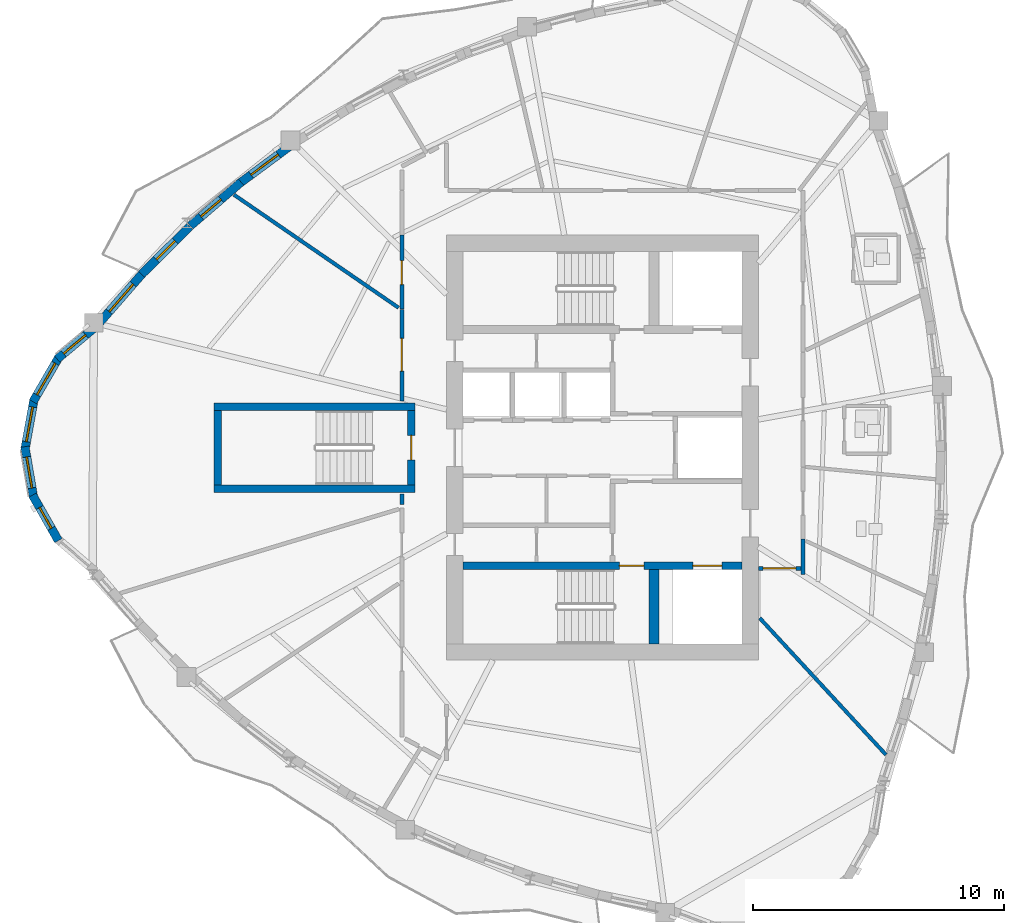
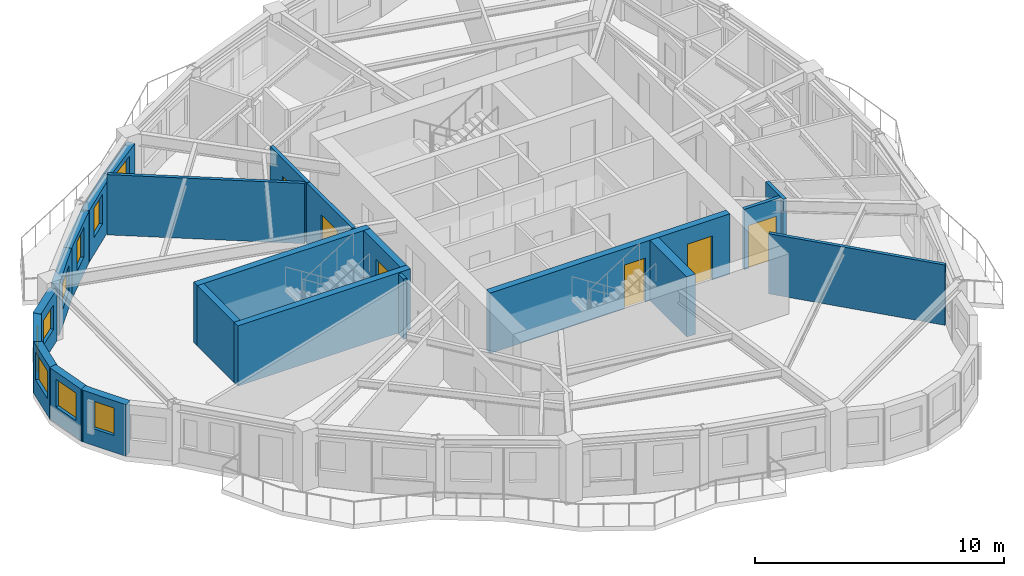
# One storey, part 4 of 12: 22 walls, 9 windows, 6 doors, 15 openings.
"""IFC4 building model written with IfcOpenShell, lengths in metres."""

from ifc_helpers import new_model, si_unit, direction, frame, frame_2d, origin, place, context, subcontext, project, spatial, rectangle, extrude, source, transform, mapped, material, layer, layer_set, type_object, element, fill, save


model = new_model("IFC4")

# Units and contexts
model_context = context("Model", 3, precision=1e-05, world=origin(), true_north=direction((0.0, 1.0)))
body_context = subcontext(model_context, "Body", "Model", "MODEL_VIEW")
ifc_project = project(units=[si_unit("LENGTHUNIT", "METRE"), si_unit("AREAUNIT", "SQUARE_METRE"), si_unit("VOLUMEUNIT", "CUBIC_METRE"), si_unit("PLANEANGLEUNIT", "RADIAN"), si_unit("MASSUNIT", "GRAM", prefix="KILO")], contexts=[model_context])

# Site, building, storey
site_placement = place(None, origin())
site = spatial("IfcSite", under=ifc_project, at=site_placement, CompositionType="ELEMENT")
building_placement = place(site_placement, origin())
building = spatial("IfcBuilding", under=site, at=building_placement, Name="Qafzar Sky-Pleat Residences", CompositionType="ELEMENT")
storey_placement = place(building_placement, frame((0.0, 0.0, 145.800048828125)))
storey = spatial("IfcBuildingStorey", under=building, at=storey_placement, Name="L43", CompositionType="ELEMENT", Elevation=145.800048828125)

# Wall, opening, door
ifc_material_1 = material(Name="Acoustic gypsum plasterboard partition", Category="gypsum")
ifc_layer_1 = layer(ifc_material_1, 0.159912109375)
ifc_layer_set_1 = layer_set([ifc_layer_1], Name="Acoustic gypsum plasterboard partition")
wall_type_1 = type_object("IfcWallType", Name="PART-COR-160", PredefinedType="PARTITIONING", material=ifc_layer_set_1)
wall_1_placement = place(storey_placement, frame((22.3701171875, 27.85009765625, 0.0), z_axis=(0.0, 0.0, 1.0), x_axis=(0.0, 1.0, 0.0)))
wall_1 = element("IfcWall", 1, at=wall_1_placement, inside=storey, type_object=wall_type_1, Name="L43 Partition Wall PART-L43-PW-006", PredefinedType="PARTITIONING", context=body_context, shape_type="SweptSolid", body=[
    extrude(rectangle(XDim=3.64599609375, YDim=0.159912109375, at=frame_2d((1.822998046875, 0.0))), origin(), (0.0, 0.0, 1.0), 2.949951171875),
])
opening_1_placement = place(wall_1_placement, frame((1.193603515625, 0.0, 0.0)))
opening_1 = element("IfcOpeningElement", 2, at=opening_1_placement, cuts=wall_1, Name="Opening ID-05", PredefinedType="OPENING", context=body_context, shape_type="SweptSolid", body=[
    extrude(rectangle(XDim=1.300048828125, YDim=2.10009765625, at=frame_2d((0.64990234375, 1.050048828125))), frame((0.0, 0.08984375, 0.0), z_axis=(0.0, -1.0, 0.0), x_axis=(1.0, 0.0, 0.0)), (0.0, 0.0, 1.0), 0.179931640625),
])
ifc_material_2 = material(Name="Timber-faced fire door", Category="wood")
door_type_1 = type_object("IfcDoorType", Name="DR-LNG-1300", OperationType="DOUBLE_DOOR_SINGLE_SWING", PredefinedType="DOOR", material=ifc_material_2)
shared_shape_1 = source(origin(), body_context, "Body", "SweptSolid", [
    extrude(rectangle(XDim=1.300048828125, YDim=2.10009765625, at=frame_2d((0.64990234375, 1.050048828125))), frame((0.0, 0.02490234375, 0.0), z_axis=(0.0, -1.0, 0.0), x_axis=(1.0, 0.0, 0.0)), (0.0, 0.0, 1.0), 0.050048828125),
])
door_1_placement = place(opening_1_placement, origin())
door_1 = element("IfcDoor", 3, at=door_1_placement, inside=storey, type_object=door_type_1, Name="L43 Tutorial Huddle Room Door", OperationType="DOUBLE_DOOR_SINGLE_SWING", OverallHeight=2.10009765625, OverallWidth=1.300048828125, PredefinedType="DOOR", context=body_context, shape_type="MappedRepresentation", body=[
    mapped(shared_shape_1, transform((0.0, 0.0, 0.0), x_axis=(1.0, 0.0, 0.0), y_axis=(0.0, 1.0, 0.0), z_axis=(0.0, 0.0, 1.0), scale=1.0)),
])
fill(opening_1, door_1)

wall_2_placement = place(storey_placement, frame((22.3701171875, 31.510986328125, 0.0), z_axis=(0.0, 0.0, 1.0), x_axis=(0.0, 1.0, 0.0)))
wall_2 = element("IfcWall", 4, at=wall_2_placement, inside=storey, type_object=wall_type_1, Name="L43 Partition Wall PART-L43-PW-007", PredefinedType="PARTITIONING", context=body_context, shape_type="SweptSolid", body=[
    extrude(rectangle(XDim=2.93896484375, YDim=0.159912109375, at=frame_2d((1.469482421875, 0.0))), origin(), (0.0, 0.0, 1.0), 2.949951171875),
])
opening_2_placement = place(wall_2_placement, frame((0.972900390625, 0.0, 0.0)))
opening_2 = element("IfcOpeningElement", 5, at=opening_2_placement, cuts=wall_2, Name="Opening ID-06", PredefinedType="OPENING", context=body_context, shape_type="SweptSolid", body=[
    extrude(rectangle(XDim=0.9599609375, YDim=2.10009765625, at=frame_2d((0.47998046875, 1.050048828125))), frame((0.0, 0.08984375, 0.0), z_axis=(0.0, -1.0, 0.0), x_axis=(1.0, 0.0, 0.0)), (0.0, 0.0, 1.0), 0.179931640625),
])
door_type_2 = type_object("IfcDoorType", Name="DR-STD-960", OperationType="NOTDEFINED", PredefinedType="DOOR", material=ifc_material_2)
shared_shape_2 = source(origin(), body_context, "Body", "SweptSolid", [
    extrude(rectangle(XDim=0.9599609375, YDim=2.10009765625, at=frame_2d((0.47998046875, 1.050048828125))), frame((0.0, 0.02490234375, 0.0), z_axis=(0.0, -1.0, 0.0), x_axis=(1.0, 0.0, 0.0)), (0.0, 0.0, 1.0), 0.050048828125),
])
door_2_placement = place(opening_2_placement, origin())
door_2 = element("IfcDoor", 6, at=door_2_placement, inside=storey, type_object=door_type_2, Name="L43 Media Screening Room Door", OperationType="SINGLE_SWING_RIGHT", OverallHeight=2.10009765625, OverallWidth=0.9599609375, PredefinedType="DOOR", context=body_context, shape_type="MappedRepresentation", body=[
    mapped(shared_shape_2, transform((0.0, 0.0, 0.0), x_axis=(1.0, 0.0, 0.0), y_axis=(0.0, 1.0, 0.0), z_axis=(0.0, 0.0, 1.0), scale=1.0)),
])
fill(opening_2, door_2)

wall_3_placement = place(storey_placement, frame((38.241943359375, 21.199951171875, 0.0), z_axis=(0.0, 0.0, 1.0), x_axis=(-1.0, 0.0, 0.0)))
wall_3 = element("IfcWall", 7, at=wall_3_placement, inside=storey, type_object=wall_type_1, Name="L43 Partition Wall PART-L43-PW-014", PredefinedType="PARTITIONING", context=body_context, shape_type="SweptSolid", body=[
    extrude(rectangle(XDim=1.683837890625, YDim=0.159912109375, at=frame_2d((0.841796875, 0.0))), origin(), (0.0, 0.0, 1.0), 2.949951171875),
])
opening_3_placement = place(wall_3_placement, frame((0.199951171875, 0.0, 0.0)))
opening_3 = element("IfcOpeningElement", 8, at=opening_3_placement, cuts=wall_3, Name="Opening ID-05", PredefinedType="OPENING", context=body_context, shape_type="SweptSolid", body=[
    extrude(rectangle(XDim=1.300048828125, YDim=2.10009765625, at=frame_2d((0.64990234375, 1.050048828125))), frame((0.0, 0.08984375, 0.0), z_axis=(0.0, -1.0, 0.0), x_axis=(1.0, 0.0, 0.0)), (0.0, 0.0, 1.0), 0.179931640625),
])
door_3_placement = place(opening_3_placement, origin())
door_3 = element("IfcDoor", 9, at=door_3_placement, inside=storey, type_object=door_type_1, Name="L43 Co-Living Lounge Door", OperationType="DOUBLE_DOOR_SINGLE_SWING", OverallHeight=2.10009765625, OverallWidth=1.300048828125, PredefinedType="DOOR", context=body_context, shape_type="MappedRepresentation", body=[
    mapped(shared_shape_1, transform((0.0, 0.0, 0.0), x_axis=(1.0, 0.0, 0.0), y_axis=(0.0, 1.0, 0.0), z_axis=(0.0, 0.0, 1.0), scale=1.0)),
])
fill(opening_3, door_3)

# Walls
wall_4_placement = place(storey_placement, frame((38.330078125, 20.9599609375, 0.0), z_axis=(0.0, 0.0, 1.0), x_axis=(0.0, 1.0, 0.0)))
element("IfcWall", 10, at=wall_4_placement, inside=storey, type_object=wall_type_1, Name="L43 Partition Wall PART-L43-PW-038", PredefinedType="PARTITIONING", context=body_context, shape_type="SweptSolid", body=[
    extrude(rectangle(XDim=1.407958984375, YDim=0.159912109375, at=frame_2d((0.7041015625, 0.0))), origin(), (0.0, 0.0, 1.0), 2.949951171875),
])
wall_5_placement = place(storey_placement, frame((22.3701171875, 23.73095703125, 0.0), z_axis=(0.0, 0.0, 1.0), x_axis=(0.0, 1.0, 0.0)))
element("IfcWall", 11, at=wall_5_placement, inside=storey, type_object=wall_type_1, Name="L43 Partition Wall PART-L43-PW-042", PredefinedType="PARTITIONING", context=body_context, shape_type="SweptSolid", body=[
    extrude(rectangle(XDim=0.4189453125, YDim=0.159912109375, at=frame_2d((0.20947265625, 0.0))), origin(), (0.0, 0.0, 1.0), 2.949951171875),
])
ifc_layer_2 = layer(ifc_material_1, 0.14501953125)
ifc_layer_set_2 = layer_set([ifc_layer_2], Name="Acoustic gypsum plasterboard partition")
wall_type_2 = type_object("IfcWallType", Name="PART-UNIT-145", PredefinedType="PARTITIONING", material=ifc_layer_set_2)
wall_6_placement = place(storey_placement, frame((15.696044921875, 36.059814453125, 0.0), z_axis=(0.0, 0.0, 1.0), x_axis=(0.824423900824, -0.565972818914, 0.0)))
element("IfcWall", 12, at=wall_6_placement, inside=storey, type_object=wall_type_2, Name="L43 Partition Wall PART-L43-PW-018", PredefinedType="PARTITIONING", context=body_context, shape_type="SweptSolid", body=[
    extrude(rectangle(XDim=7.940673828125, YDim=0.14501953125, at=frame_2d((3.97021484375, 0.0))), origin(), (0.0, 0.0, 1.0), 2.949951171875),
])
wall_7_placement = place(storey_placement, frame((36.608642578125, 19.221435546875, 0.0), z_axis=(0.0, 0.0, 1.0), x_axis=(0.67832941292, -0.734757924467, 0.0)))
element("IfcWall", 13, at=wall_7_placement, inside=storey, type_object=wall_type_2, Name="L43 Partition Wall PART-L43-PW-019", PredefinedType="PARTITIONING", context=body_context, shape_type="SweptSolid", body=[
    extrude(rectangle(XDim=7.40283203125, YDim=0.14501953125, at=frame_2d((3.701416015625, 0.0))), origin(), (0.0, 0.0, 1.0), 2.949951171875),
])

# Wall, opening, window
ifc_material_3 = material(Name="Precast concrete C40/50 with honed Riyadh limestone", Category="concrete")
ifc_layer_3 = layer(ifc_material_3, 0.340087890625)
ifc_layer_set_3 = layer_set([ifc_layer_3], Name="Precast concrete C40/50 with honed Riyadh limestone")
wall_type_3 = type_object("IfcWallType", Name="WALL-EXT-340", PredefinedType="SOLIDWALL", material=ifc_layer_set_3)
wall_8_placement = place(storey_placement, frame((10.109375, 30.737548828125, 0.0), z_axis=(0.0, 0.0, 1.0), x_axis=(-0.76661852922, -0.642102819381, 0.0)))
wall_8 = element("IfcWall", 14, at=wall_8_placement, inside=storey, type_object=wall_type_3, Name="L43 Limestone Facade Wall 1", PredefinedType="SOLIDWALL", context=body_context, shape_type="SweptSolid", body=[
    extrude(rectangle(XDim=1.88818359375, YDim=0.340087890625, at=frame_2d((0.944091796875, 0.0))), origin(), (0.0, 0.0, 1.0), 2.530029296875),
])
opening_4_placement = place(wall_8_placement, frame((0.404052734375, 0.0, 0.820068359375)))
opening_4 = element("IfcOpeningElement", 15, at=opening_4_placement, cuts=wall_8, Name="Opening WN-16", PredefinedType="OPENING", context=body_context, shape_type="SweptSolid", body=[
    extrude(rectangle(XDim=1.14990234375, YDim=1.199951171875, at=frame_2d((0.574951171875, 0.60009765625))), frame((0.0, 0.18017578125, 0.0), z_axis=(0.0, -1.0, 0.0), x_axis=(1.0, 0.0, 0.0)), (0.0, 0.0, 1.0), 0.360107421875),
])
ifc_material_4 = material(Name="Solar-control low-E glass in bronze aluminium frame", Category="glass")
window_type_1 = type_object("IfcWindowType", Name="WIN-16", PartitioningType="SINGLE_PANEL", PredefinedType="WINDOW", material=ifc_material_4)
shared_shape_3 = source(origin(), body_context, "Body", "SweptSolid", [
    extrude(rectangle(XDim=1.14990234375, YDim=1.199951171875, at=frame_2d((0.574951171875, 0.60009765625))), frame((0.0, 0.030029296875, 0.0), z_axis=(0.0, -1.0, 0.0), x_axis=(1.0, 0.0, 0.0)), (0.0, 0.0, 1.0), 0.06005859375),
])
window_1_placement = place(opening_4_placement, origin())
window_1 = element("IfcWindow", 16, at=window_1_placement, inside=storey, type_object=window_type_1, Name="L43 Punched Facade Window 01", OverallHeight=1.199951171875, OverallWidth=1.14990234375, PartitioningType="SINGLE_PANEL", PredefinedType="WINDOW", context=body_context, shape_type="MappedRepresentation", body=[
    mapped(shared_shape_3, transform((0.0, 0.0, 0.0), x_axis=(1.0, 0.0, 0.0), y_axis=(0.0, 1.0, 0.0), z_axis=(0.0, 0.0, 1.0), scale=1.0)),
])
fill(opening_4, window_1)

wall_9_placement = place(storey_placement, frame((8.747802734375, 29.627197265625, 0.0), z_axis=(0.0, 0.0, 1.0), x_axis=(-0.502090235641, -0.864815237651, 0.0)))
wall_9 = element("IfcWall", 17, at=wall_9_placement, inside=storey, type_object=wall_type_3, Name="L43 Limestone Facade Wall 2", PredefinedType="SOLIDWALL", context=body_context, shape_type="SweptSolid", body=[
    extrude(rectangle(XDim=2.0810546875, YDim=0.340087890625, at=frame_2d((1.04052734375, 0.0))), origin(), (0.0, 0.0, 1.0), 2.530029296875),
])
opening_5_placement = place(wall_9_placement, frame((0.315673828125, 0.0, 0.820068359375)))
opening_5 = element("IfcOpeningElement", 18, at=opening_5_placement, cuts=wall_9, Name="Opening WN-15", PredefinedType="OPENING", context=body_context, shape_type="SweptSolid", body=[
    extrude(rectangle(XDim=1.449951171875, YDim=1.25, at=frame_2d((0.72509765625, 0.625))), frame((0.0, 0.18017578125, 0.0), z_axis=(0.0, -1.0, 0.0), x_axis=(1.0, 0.0, 0.0)), (0.0, 0.0, 1.0), 0.360107421875),
])
window_type_2 = type_object("IfcWindowType", Name="WIN-15", PartitioningType="SINGLE_PANEL", PredefinedType="WINDOW", material=ifc_material_4)
shared_shape_4 = source(origin(), body_context, "Body", "SweptSolid", [
    extrude(rectangle(XDim=1.449951171875, YDim=1.25, at=frame_2d((0.72509765625, 0.625))), frame((0.0, 0.030029296875, 0.0), z_axis=(0.0, -1.0, 0.0), x_axis=(1.0, 0.0, 0.0)), (0.0, 0.0, 1.0), 0.06005859375),
])
window_2_placement = place(opening_5_placement, origin())
window_2 = element("IfcWindow", 19, at=window_2_placement, inside=storey, type_object=window_type_2, Name="L43 Punched Facade Window 02", OverallHeight=1.25, OverallWidth=1.449951171875, PartitioningType="SINGLE_PANEL", PredefinedType="WINDOW", context=body_context, shape_type="MappedRepresentation", body=[
    mapped(shared_shape_4, transform((0.0, 0.0, 0.0), x_axis=(1.0, 0.0, 0.0), y_axis=(0.0, 1.0, 0.0), z_axis=(0.0, 0.0, 1.0), scale=1.0)),
])
fill(opening_5, window_2)

wall_10_placement = place(storey_placement, frame((7.7490234375, 27.952880859375, 0.0), z_axis=(0.0, 0.0, 1.0), x_axis=(-0.177605215389, -0.984101817632, 0.0)))
wall_10 = element("IfcWall", 20, at=wall_10_placement, inside=storey, type_object=wall_type_3, Name="L43 Limestone Facade Wall 3", PredefinedType="SOLIDWALL", context=body_context, shape_type="SweptSolid", body=[
    extrude(rectangle(XDim=2.081298828125, YDim=0.340087890625, at=frame_2d((1.04052734375, 0.0))), origin(), (0.0, 0.0, 1.0), 2.530029296875),
])
opening_6_placement = place(wall_10_placement, frame((0.340576171875, 0.0, 0.820068359375)))
opening_6 = element("IfcOpeningElement", 21, at=opening_6_placement, cuts=wall_10, Name="Opening WN-10", PredefinedType="OPENING", context=body_context, shape_type="SweptSolid", body=[
    extrude(rectangle(XDim=1.39990234375, YDim=1.35009765625, at=frame_2d((0.699951171875, 0.675048828125))), frame((0.0, 0.18017578125, 0.0), z_axis=(0.0, -1.0, 0.0), x_axis=(1.0, 0.0, 0.0)), (0.0, 0.0, 1.0), 0.360107421875),
])
window_type_3 = type_object("IfcWindowType", Name="WIN-10", PartitioningType="SINGLE_PANEL", PredefinedType="WINDOW", material=ifc_material_4)
shared_shape_5 = source(origin(), body_context, "Body", "SweptSolid", [
    extrude(rectangle(XDim=1.39990234375, YDim=1.35009765625, at=frame_2d((0.699951171875, 0.675048828125))), frame((0.0, 0.030029296875, 0.0), z_axis=(0.0, -1.0, 0.0), x_axis=(1.0, 0.0, 0.0)), (0.0, 0.0, 1.0), 0.06005859375),
])
window_3_placement = place(opening_6_placement, origin())
window_3 = element("IfcWindow", 22, at=window_3_placement, inside=storey, type_object=window_type_3, Name="L43 Punched Facade Window 03", OverallHeight=1.35009765625, OverallWidth=1.39990234375, PartitioningType="SINGLE_PANEL", PredefinedType="WINDOW", context=body_context, shape_type="MappedRepresentation", body=[
    mapped(shared_shape_5, transform((0.0, 0.0, 0.0), x_axis=(1.0, 0.0, 0.0), y_axis=(0.0, 1.0, 0.0), z_axis=(0.0, 0.0, 1.0), scale=1.0)),
])
fill(opening_6, window_3)

wall_11_placement = place(storey_placement, frame((7.380126953125, 26.03857421875, 0.0), z_axis=(0.0, 0.0, 1.0), x_axis=(0.168107405166, -0.985768685001, 0.0)))
wall_11 = element("IfcWall", 23, at=wall_11_placement, inside=storey, type_object=wall_type_3, Name="L43 Limestone Facade Wall 4", PredefinedType="SOLIDWALL", context=body_context, shape_type="SweptSolid", body=[
    extrude(rectangle(XDim=2.0810546875, YDim=0.340087890625, at=frame_2d((1.04052734375, 0.0))), origin(), (0.0, 0.0, 1.0), 2.530029296875),
])
opening_7_placement = place(wall_11_placement, frame((0.41552734375, 0.0, 0.820068359375)))
opening_7 = element("IfcOpeningElement", 24, at=opening_7_placement, cuts=wall_11, Name="Opening WN-11", PredefinedType="OPENING", context=body_context, shape_type="SweptSolid", body=[
    extrude(rectangle(XDim=1.25, YDim=1.35009765625, at=frame_2d((0.625, 0.675048828125))), frame((0.0, 0.18017578125, 0.0), z_axis=(0.0, -1.0, 0.0), x_axis=(1.0, 0.0, 0.0)), (0.0, 0.0, 1.0), 0.360107421875),
])
window_type_4 = type_object("IfcWindowType", Name="WIN-11", PartitioningType="SINGLE_PANEL", PredefinedType="WINDOW", material=ifc_material_4)
shared_shape_6 = source(origin(), body_context, "Body", "SweptSolid", [
    extrude(rectangle(XDim=1.25, YDim=1.35009765625, at=frame_2d((0.625, 0.675048828125))), frame((0.0, 0.030029296875, 0.0), z_axis=(0.0, -1.0, 0.0), x_axis=(1.0, 0.0, 0.0)), (0.0, 0.0, 1.0), 0.06005859375),
])
window_4_placement = place(opening_7_placement, origin())
window_4 = element("IfcWindow", 25, at=window_4_placement, inside=storey, type_object=window_type_4, Name="L43 Punched Facade Window 04", OverallHeight=1.35009765625, OverallWidth=1.25, PartitioningType="SINGLE_PANEL", PredefinedType="WINDOW", context=body_context, shape_type="MappedRepresentation", body=[
    mapped(shared_shape_6, transform((0.0, 0.0, 0.0), x_axis=(1.0, 0.0, 0.0), y_axis=(0.0, 1.0, 0.0), z_axis=(0.0, 0.0, 1.0), scale=1.0)),
])
fill(opening_7, window_4)

wall_12_placement = place(storey_placement, frame((7.68505859375, 24.11279296875, 0.0), z_axis=(0.0, 0.0, 1.0), x_axis=(0.49374939324, -0.869604241408, 0.0)))
wall_12 = element("IfcWall", 26, at=wall_12_placement, inside=storey, type_object=wall_type_3, Name="L43 Limestone Facade Wall 5", PredefinedType="SOLIDWALL", context=body_context, shape_type="SweptSolid", body=[
    extrude(rectangle(XDim=2.081298828125, YDim=0.340087890625, at=frame_2d((1.04052734375, 0.0))), origin(), (0.0, 0.0, 1.0), 2.530029296875),
])
opening_8_placement = place(wall_12_placement, frame((0.565673828125, 0.0, 0.820068359375)))
opening_8 = element("IfcOpeningElement", 27, at=opening_8_placement, cuts=wall_12, Name="Opening WN-12", PredefinedType="OPENING", context=body_context, shape_type="SweptSolid", body=[
    extrude(rectangle(XDim=0.949951171875, YDim=1.35009765625, at=frame_2d((0.47509765625, 0.675048828125))), frame((0.0, 0.18017578125, 0.0), z_axis=(0.0, -1.0, 0.0), x_axis=(1.0, 0.0, 0.0)), (0.0, 0.0, 1.0), 0.360107421875),
])
window_type_5 = type_object("IfcWindowType", Name="WIN-12", PartitioningType="SINGLE_PANEL", PredefinedType="WINDOW", material=ifc_material_4)
shared_shape_7 = source(origin(), body_context, "Body", "SweptSolid", [
    extrude(rectangle(XDim=0.949951171875, YDim=1.35009765625, at=frame_2d((0.47509765625, 0.675048828125))), frame((0.0, 0.030029296875, 0.0), z_axis=(0.0, -1.0, 0.0), x_axis=(1.0, 0.0, 0.0)), (0.0, 0.0, 1.0), 0.06005859375),
])
window_5_placement = place(opening_8_placement, origin())
window_5 = element("IfcWindow", 28, at=window_5_placement, inside=storey, type_object=window_type_5, Name="L43 Punched Facade Window 05", OverallHeight=1.35009765625, OverallWidth=0.949951171875, PartitioningType="SINGLE_PANEL", PredefinedType="WINDOW", context=body_context, shape_type="MappedRepresentation", body=[
    mapped(shared_shape_7, transform((0.0, 0.0, 0.0), x_axis=(1.0, 0.0, 0.0), y_axis=(0.0, 1.0, 0.0), z_axis=(0.0, 0.0, 1.0), scale=1.0)),
])
fill(opening_8, window_5)

wall_13_placement = place(storey_placement, frame((17.91748046875, 37.9931640625, 0.0), z_axis=(0.0, 0.0, 1.0), x_axis=(-0.803792400414, -0.594909889846, 0.0)))
wall_13 = element("IfcWall", 29, at=wall_13_placement, inside=storey, type_object=wall_type_3, Name="L43 Limestone Facade Wall 45", PredefinedType="SOLIDWALL", context=body_context, shape_type="SweptSolid", body=[
    extrude(rectangle(XDim=2.5, YDim=0.340087890625, at=frame_2d((1.25, 0.0))), origin(), (0.0, 0.0, 1.0), 2.530029296875),
])
opening_9_placement = place(wall_13_placement, frame((0.570068359375, 0.0, 0.820068359375)))
opening_9 = element("IfcOpeningElement", 30, at=opening_9_placement, cuts=wall_13, Name="Opening WN-04", PredefinedType="OPENING", context=body_context, shape_type="SweptSolid", body=[
    extrude(rectangle(XDim=1.35009765625, YDim=1.449951171875, at=frame_2d((0.675048828125, 0.72509765625))), frame((0.0, 0.18017578125, 0.0), z_axis=(0.0, -1.0, 0.0), x_axis=(1.0, 0.0, 0.0)), (0.0, 0.0, 1.0), 0.360107421875),
])
window_type_6 = type_object("IfcWindowType", Name="WIN-04", PartitioningType="SINGLE_PANEL", PredefinedType="WINDOW", material=ifc_material_4)
shared_shape_8 = source(origin(), body_context, "Body", "SweptSolid", [
    extrude(rectangle(XDim=1.35009765625, YDim=1.449951171875, at=frame_2d((0.675048828125, 0.72509765625))), frame((0.0, 0.030029296875, 0.0), z_axis=(0.0, -1.0, 0.0), x_axis=(1.0, 0.0, 0.0)), (0.0, 0.0, 1.0), 0.06005859375),
])
window_6_placement = place(opening_9_placement, origin())
window_6 = element("IfcWindow", 31, at=window_6_placement, inside=storey, type_object=window_type_6, Name="L43 Punched Facade Window 45", OverallHeight=1.449951171875, OverallWidth=1.35009765625, PartitioningType="SINGLE_PANEL", PredefinedType="WINDOW", context=body_context, shape_type="MappedRepresentation", body=[
    mapped(shared_shape_8, transform((0.0, 0.0, 0.0), x_axis=(1.0, 0.0, 0.0), y_axis=(0.0, 1.0, 0.0), z_axis=(0.0, 0.0, 1.0), scale=1.0)),
])
fill(opening_9, window_6)

wall_14_placement = place(storey_placement, frame((15.97705078125, 36.56103515625, 0.0), z_axis=(0.0, 0.0, 1.0), x_axis=(-0.757481825022, -0.652856251223, 0.0)))
wall_14 = element("IfcWall", 32, at=wall_14_placement, inside=storey, type_object=wall_type_3, Name="L43 Limestone Facade Wall 46", PredefinedType="SOLIDWALL", context=body_context, shape_type="SweptSolid", body=[
    extrude(rectangle(XDim=2.664794921875, YDim=0.340087890625, at=frame_2d((1.33251953125, 0.0))), origin(), (0.0, 0.0, 1.0), 2.530029296875),
])
opening_10_placement = place(wall_14_placement, frame((1.052490234375, 0.0, 0.820068359375)))
opening_10 = element("IfcOpeningElement", 33, at=opening_10_placement, cuts=wall_14, Name="Opening WN-06", PredefinedType="OPENING", context=body_context, shape_type="SweptSolid", body=[
    extrude(rectangle(XDim=1.050048828125, YDim=1.449951171875, at=frame_2d((0.52490234375, 0.72509765625))), frame((0.0, 0.18017578125, 0.0), z_axis=(0.0, -1.0, 0.0), x_axis=(1.0, 0.0, 0.0)), (0.0, 0.0, 1.0), 0.360107421875),
])
window_type_7 = type_object("IfcWindowType", Name="WIN-06", PartitioningType="SINGLE_PANEL", PredefinedType="WINDOW", material=ifc_material_4)
shared_shape_9 = source(origin(), body_context, "Body", "SweptSolid", [
    extrude(rectangle(XDim=1.050048828125, YDim=1.449951171875, at=frame_2d((0.52490234375, 0.72509765625))), frame((0.0, 0.030029296875, 0.0), z_axis=(0.0, -1.0, 0.0), x_axis=(1.0, 0.0, 0.0)), (0.0, 0.0, 1.0), 0.06005859375),
])
window_7_placement = place(opening_10_placement, origin())
window_7 = element("IfcWindow", 34, at=window_7_placement, inside=storey, type_object=window_type_7, Name="L43 Punched Facade Window 46-2", OverallHeight=1.449951171875, OverallWidth=1.050048828125, PartitioningType="SINGLE_PANEL", PredefinedType="WINDOW", context=body_context, shape_type="MappedRepresentation", body=[
    mapped(shared_shape_9, transform((0.0, 0.0, 0.0), x_axis=(1.0, 0.0, 0.0), y_axis=(0.0, 1.0, 0.0), z_axis=(0.0, 0.0, 1.0), scale=1.0)),
])
fill(opening_10, window_7)

wall_15_placement = place(storey_placement, frame((13.93798828125, 34.802490234375, 0.0), z_axis=(0.0, 0.0, 1.0), x_axis=(-0.708367539121, -0.705843771326, 0.0)))
wall_15 = element("IfcWall", 35, at=wall_15_placement, inside=storey, type_object=wall_type_3, Name="L43 Limestone Facade Wall 47", PredefinedType="SOLIDWALL", context=body_context, shape_type="SweptSolid", body=[
    extrude(rectangle(XDim=2.708740234375, YDim=0.340087890625, at=frame_2d((1.3544921875, 0.0))), origin(), (0.0, 0.0, 1.0), 2.530029296875),
])
opening_11_placement = place(wall_15_placement, frame((0.8193359375, 0.0, 0.820068359375)))
opening_11 = element("IfcOpeningElement", 36, at=opening_11_placement, cuts=wall_15, Name="Opening WN-06", PredefinedType="OPENING", context=body_context, shape_type="SweptSolid", body=[
    extrude(rectangle(XDim=1.050048828125, YDim=1.449951171875, at=frame_2d((0.52490234375, 0.72509765625))), frame((0.0, 0.18017578125, 0.0), z_axis=(0.0, -1.0, 0.0), x_axis=(1.0, 0.0, 0.0)), (0.0, 0.0, 1.0), 0.360107421875),
])
window_8_placement = place(opening_11_placement, origin())
window_8 = element("IfcWindow", 37, at=window_8_placement, inside=storey, type_object=window_type_7, Name="L43 Punched Facade Window 47", OverallHeight=1.449951171875, OverallWidth=1.050048828125, PartitioningType="SINGLE_PANEL", PredefinedType="WINDOW", context=body_context, shape_type="MappedRepresentation", body=[
    mapped(shared_shape_9, transform((0.0, 0.0, 0.0), x_axis=(1.0, 0.0, 0.0), y_axis=(0.0, 1.0, 0.0), z_axis=(0.0, 0.0, 1.0), scale=1.0)),
])
fill(opening_11, window_8)

wall_16_placement = place(storey_placement, frame((12.079345703125, 32.95458984375, 0.0), z_axis=(0.0, 0.0, 1.0), x_axis=(-0.657656813057, -0.753317672857, 0.0)))
wall_16 = element("IfcWall", 38, at=wall_16_placement, inside=storey, type_object=wall_type_3, Name="L43 Limestone Facade Wall 48", PredefinedType="SOLIDWALL", context=body_context, shape_type="SweptSolid", body=[
    extrude(rectangle(XDim=2.63134765625, YDim=0.340087890625, at=frame_2d((1.315673828125, 0.0))), origin(), (0.0, 0.0, 1.0), 2.530029296875),
])
opening_12_placement = place(wall_16_placement, frame((0.595703125, 0.0, 0.820068359375)))
opening_12 = element("IfcOpeningElement", 39, at=opening_12_placement, cuts=wall_16, Name="Opening WN-15", PredefinedType="OPENING", context=body_context, shape_type="SweptSolid", body=[
    extrude(rectangle(XDim=1.449951171875, YDim=1.25, at=frame_2d((0.72509765625, 0.625))), frame((0.0, 0.18017578125, 0.0), z_axis=(0.0, -1.0, 0.0), x_axis=(1.0, 0.0, 0.0)), (0.0, 0.0, 1.0), 0.360107421875),
])
window_9_placement = place(opening_12_placement, origin())
window_9 = element("IfcWindow", 40, at=window_9_placement, inside=storey, type_object=window_type_2, Name="L43 Punched Facade Window 48", OverallHeight=1.25, OverallWidth=1.449951171875, PartitioningType="SINGLE_PANEL", PredefinedType="WINDOW", context=body_context, shape_type="MappedRepresentation", body=[
    mapped(shared_shape_4, transform((0.0, 0.0, 0.0), x_axis=(1.0, 0.0, 0.0), y_axis=(0.0, 1.0, 0.0), z_axis=(0.0, 0.0, 1.0), scale=1.0)),
])
fill(opening_12, window_9)

# Wall, openings, doors
ifc_material_5 = material(Name="Concrete C60/75", Category="concrete")
ifc_layer_4 = layer(ifc_material_5, 0.300048828125)
ifc_layer_set_4 = layer_set([ifc_layer_4], Name="Concrete C60/75")
wall_type_4 = type_object("IfcWallType", Name="WALL-SHEAR-300", PredefinedType="SHEAR", material=ifc_layer_set_4)
wall_17_placement = place(storey_placement, frame((24.800048828125, 21.300048828125, 0.0), z_axis=(0.0, 0.0, 1.0), x_axis=(1.0, 0.0, 0.0)))
wall_17 = element("IfcWall", 41, at=wall_17_placement, inside=storey, type_object=wall_type_4, Name="L43 Stair ST1 and FF1 Shaft North Wall", PredefinedType="SHEAR", context=body_context, shape_type="SweptSolid", body=[
    extrude(rectangle(XDim=11.099853515625, YDim=0.300048828125, at=frame_2d((5.5498046875, 0.0))), origin(), (0.0, 0.0, 1.0), 2.949951171875),
])
opening_13_placement = place(wall_17_placement, frame((6.219970703125, 0.0, 0.0)))
opening_13 = element("IfcOpeningElement", 42, at=opening_13_placement, cuts=wall_17, Name="Opening ID-01", PredefinedType="OPENING", context=body_context, shape_type="SweptSolid", body=[
    extrude(rectangle(XDim=0.97998046875, YDim=2.14990234375, at=frame_2d((0.489990234375, 1.074951171875))), frame((0.0, 0.16015625, 0.0), z_axis=(0.0, -1.0, 0.0), x_axis=(1.0, 0.0, 0.0)), (0.0, 0.0, 1.0), 0.320068359375),
])
opening_14_placement = place(wall_17_placement, frame((9.14990234375, 0.0, 0.0)))
opening_14 = element("IfcOpeningElement", 43, at=opening_14_placement, cuts=wall_17, Name="Opening LD-02", PredefinedType="OPENING", context=body_context, shape_type="SweptSolid", body=[
    extrude(rectangle(XDim=1.14990234375, YDim=2.14990234375, at=frame_2d((0.574951171875, 1.074951171875))), frame((0.0, 0.16015625, 0.0), z_axis=(0.0, -1.0, 0.0), x_axis=(1.0, 0.0, 0.0)), (0.0, 0.0, 1.0), 0.320068359375),
])
door_type_3 = type_object("IfcDoorType", Name="DR-STAIR-980", OperationType="NOTDEFINED", PredefinedType="DOOR", material=ifc_material_2)
shared_shape_10 = source(origin(), body_context, "Body", "SweptSolid", [
    extrude(rectangle(XDim=0.97998046875, YDim=2.14990234375, at=frame_2d((0.489990234375, 1.074951171875))), frame((0.0, 0.02490234375, 0.0), z_axis=(0.0, -1.0, 0.0), x_axis=(1.0, 0.0, 0.0)), (0.0, 0.0, 1.0), 0.050048828125),
])
door_4_placement = place(opening_13_placement, origin())
door_4 = element("IfcDoor", 44, at=door_4_placement, inside=storey, type_object=door_type_3, Name="L43 Stair ST1 Fire Door", OperationType="SINGLE_SWING_LEFT", OverallHeight=2.14990234375, OverallWidth=0.97998046875, PredefinedType="DOOR", context=body_context, shape_type="MappedRepresentation", body=[
    mapped(shared_shape_10, transform((0.0, 0.0, 0.0), x_axis=(1.0, 0.0, 0.0), y_axis=(0.0, 1.0, 0.0), z_axis=(0.0, 0.0, 1.0), scale=1.0)),
])
fill(opening_13, door_4)
ifc_material_6 = material(Name="Stainless steel sliding landing door", Category="steel")
door_type_4 = type_object("IfcDoorType", Name="DR-LIFT-FF", OperationType="DOUBLE_DOOR_SLIDING", PredefinedType="DOOR", material=ifc_material_6)
shared_shape_11 = source(origin(), body_context, "Body", "SweptSolid", [
    extrude(rectangle(XDim=1.14990234375, YDim=2.14990234375, at=frame_2d((0.574951171875, 1.074951171875))), frame((0.0, 0.02490234375, 0.0), z_axis=(0.0, -1.0, 0.0), x_axis=(1.0, 0.0, 0.0)), (0.0, 0.0, 1.0), 0.050048828125),
])
door_5_placement = place(opening_14_placement, origin())
door_5 = element("IfcDoor", 45, at=door_5_placement, inside=storey, type_object=door_type_4, Name="L43 Firefighting Lift FF1 Landing Door", OperationType="DOUBLE_DOOR_SLIDING", OverallHeight=2.14990234375, OverallWidth=1.14990234375, PredefinedType="DOOR", context=body_context, shape_type="MappedRepresentation", body=[
    mapped(shared_shape_11, transform((0.0, 0.0, 0.0), x_axis=(1.0, 0.0, 0.0), y_axis=(0.0, 1.0, 0.0), z_axis=(0.0, 0.0, 1.0), scale=1.0)),
])
fill(opening_14, door_5)

# Walls
for number, where, z_axis, x_axis, name in (
    (46, (14.89990234375, 24.375, 0.0), (0.0, 0.0, 1.0), (1.0, 0.0, 0.0), "L43 ST3 wall S"),
    (47, (22.89990234375, 27.625, 0.0), (0.0, 0.0, 1.0), (-1.0, 0.0, 0.0), "L43 ST3 wall N"),
):
    element("IfcWall", number, at=place(storey_placement, frame(where, z_axis=z_axis, x_axis=x_axis)), inside=storey, type_object=wall_type_4, Name=name, PredefinedType="SHEAR", context=body_context, shape_type="SweptSolid", body=[
        extrude(rectangle(XDim=8.0, YDim=0.300048828125, at=frame_2d((4.0, 0.0))), origin(), (0.0, 0.0, 1.0), 2.949951171875),
    ])
wall_18_placement = place(storey_placement, frame((15.050048828125, 27.47509765625, 0.0), z_axis=(0.0, 0.0, 1.0), x_axis=(0.0, -1.0, 0.0)))
element("IfcWall", 48, at=wall_18_placement, inside=storey, type_object=wall_type_4, Name="L43 ST3 wall W", PredefinedType="SHEAR", context=body_context, shape_type="SweptSolid", body=[
    extrude(rectangle(XDim=2.9501953125, YDim=0.300048828125, at=frame_2d((1.47509765625, 0.0))), origin(), (0.0, 0.0, 1.0), 2.949951171875),
])

# Wall, opening, door
wall_19_placement = place(storey_placement, frame((22.75, 24.52490234375, 0.0), z_axis=(0.0, 0.0, 1.0), x_axis=(0.0, 1.0, 0.0)))
wall_19 = element("IfcWall", 49, at=wall_19_placement, inside=storey, type_object=wall_type_4, Name="L43 ST3 wall E", PredefinedType="SHEAR", context=body_context, shape_type="SweptSolid", body=[
    extrude(rectangle(XDim=2.9501953125, YDim=0.300048828125, at=frame_2d((1.47509765625, 0.0))), origin(), (0.0, 0.0, 1.0), 2.949951171875),
])
opening_15_placement = place(wall_19_placement, frame((0.985107421875, 0.0, 0.0)))
opening_15 = element("IfcOpeningElement", 50, at=opening_15_placement, cuts=wall_19, Name="Opening ID-01", PredefinedType="OPENING", context=body_context, shape_type="SweptSolid", body=[
    extrude(rectangle(XDim=0.97998046875, YDim=2.14990234375, at=frame_2d((0.489990234375, 1.074951171875))), frame((0.0, 0.16015625, 0.0), z_axis=(0.0, -1.0, 0.0), x_axis=(1.0, 0.0, 0.0)), (0.0, 0.0, 1.0), 0.320068359375),
])
door_6_placement = place(opening_15_placement, origin())
door_6 = element("IfcDoor", 51, at=door_6_placement, inside=storey, type_object=door_type_3, Name="L43 Stair ST3 Fire Door", OperationType="SINGLE_SWING_LEFT", OverallHeight=2.14990234375, OverallWidth=0.97998046875, PredefinedType="DOOR", context=body_context, shape_type="MappedRepresentation", body=[
    mapped(shared_shape_10, transform((0.0, 0.0, 0.0), x_axis=(1.0, 0.0, 0.0), y_axis=(0.0, 1.0, 0.0), z_axis=(0.0, 0.0, 1.0), scale=1.0)),
])
fill(opening_15, door_6)

# Wall
ifc_layer_5 = layer(ifc_material_5, 0.39990234375)
ifc_layer_set_5 = layer_set([ifc_layer_5], Name="Concrete C60/75")
wall_type_5 = type_object("IfcWallType", Name="WALL-SHEAR-400", PredefinedType="SHEAR", material=ifc_layer_set_5)
wall_20_placement = place(storey_placement, frame((32.39990234375, 18.199951171875, 0.0), z_axis=(0.0, 0.0, 1.0), x_axis=(0.0, 1.0, 0.0)))
element("IfcWall", 52, at=wall_20_placement, inside=storey, type_object=wall_type_5, Name="L43 Stair ST1 East Dividing Wall", PredefinedType="SHEAR", context=body_context, shape_type="SweptSolid", body=[
    extrude(rectangle(XDim=2.949951171875, YDim=0.39990234375, at=frame_2d((1.47509765625, 0.0))), origin(), (0.0, 0.0, 1.0), 2.949951171875),
])

save(model, "model.ifc")
